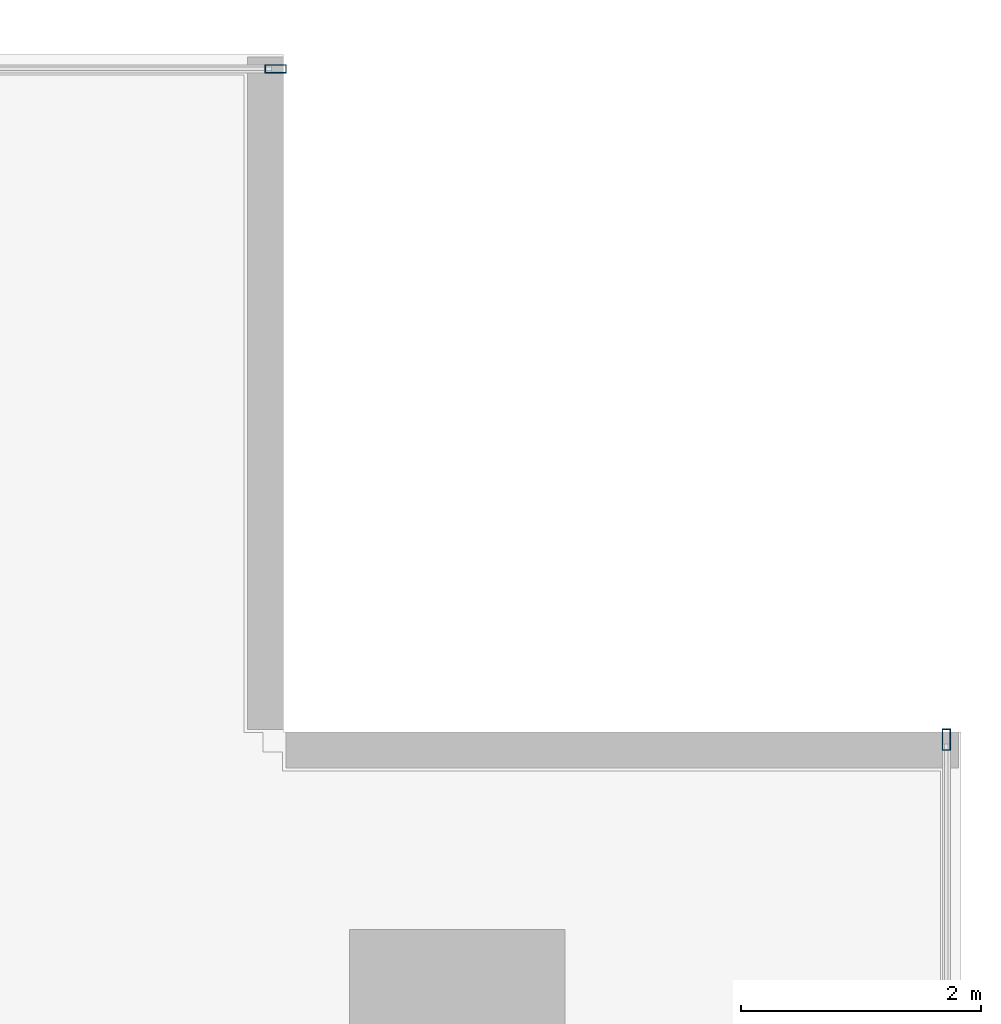
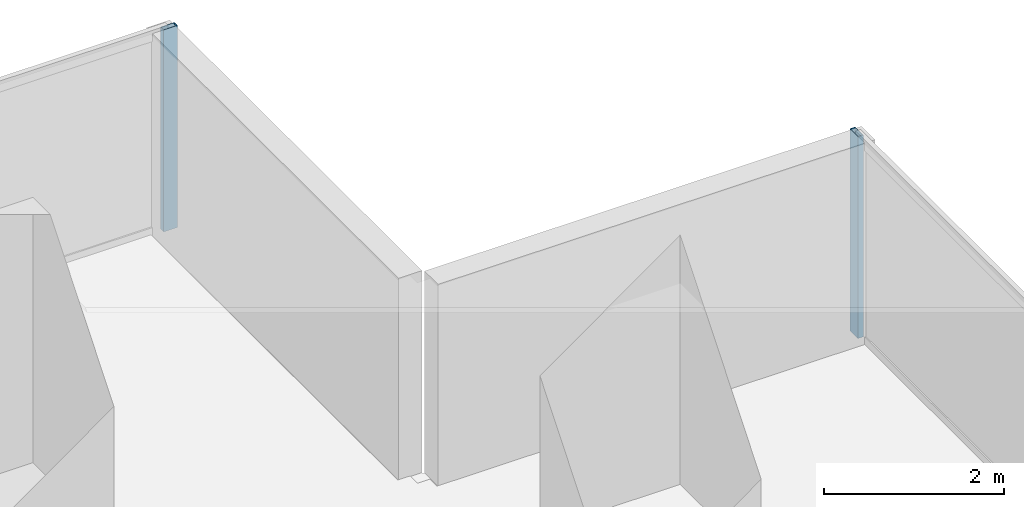
# One storey, part 23 of 33: 2 members, 2 elements without a shape of their own.
"""IFC4 building model written with IfcOpenShell, lengths in metres."""

from ifc_helpers import new_model, si_unit, direction, frame, origin, origin_2d, place, context, subcontext, project, spatial, hollow_rectangle, extrude, source, transform, mapped, material, layer, layer_set, material_profile, profile_set, type_object, element, aggregate, save


model = new_model("IFC4")

# Units and contexts
model_context = context("Model", 3, precision=1e-05, world=origin(), true_north=direction((0.0, 1.0)))
body_context = subcontext(model_context, "Body", "Model", "MODEL_VIEW")
ifc_project = project(units=[si_unit("LENGTHUNIT", "METRE"), si_unit("AREAUNIT", "SQUARE_METRE"), si_unit("VOLUMEUNIT", "CUBIC_METRE"), si_unit("PLANEANGLEUNIT", "RADIAN"), si_unit("MASSUNIT", "GRAM", prefix="KILO")], contexts=[model_context])

# Site, building, storey
site_placement = place(None, origin())
site = spatial("IfcSite", under=ifc_project, at=site_placement, CompositionType="ELEMENT")
building_placement = place(site_placement, origin())
building = spatial("IfcBuilding", under=site, at=building_placement, Name="Sumidabori Civic Tower", CompositionType="ELEMENT")
storey_placement = place(building_placement, frame((0.0, 0.0, 38.0)))
storey = spatial("IfcBuildingStorey", under=building, at=storey_placement, Name="L09", CompositionType="ELEMENT", Elevation=38.0)

# Curtain wall, member
ifc_material = material(Name="Anodised Bronze Aluminium AW-6063-T6", Category="aluminium")
ifc_layer = layer(ifc_material, 0.179931640625, Name="Anodised Bronze Aluminium AW-6063-T6")
ifc_layer_set = layer_set([ifc_layer], Name="Anodised Bronze Aluminium AW-6063-T6")
curtain_wall_type = type_object("IfcCurtainWallType", Name="CW-SYS-2", PredefinedType="NOTDEFINED", material=ifc_layer_set)
curtain_wall_1_placement = place(storey_placement, origin())
curtain_wall_1 = element("IfcCurtainWall", 1, at=curtain_wall_1_placement, inside=storey, type_object=curtain_wall_type, Name="Curtain Wall CW:L09:R04", PredefinedType="NOTDEFINED")
ifc_material_profile = material_profile(ifc_material, hollow_rectangle(XDim=0.070068359375, YDim=0.179931640625, WallThickness=0.006103515625, at=origin_2d()), Name="ALU MULLION 180x70")
ifc_profile_set = profile_set([ifc_material_profile], Name="Anodised Bronze Aluminium AW-6063-T6")
member_type = type_object("IfcMemberType", Name="CW-MUL-180", PredefinedType="MULLION", material=ifc_profile_set)
shared_shape = source(origin(), body_context, "Body", "SweptSolid", [
    extrude(hollow_rectangle(XDim=0.070068359375, YDim=0.179931640625, WallThickness=0.006103515625, at=origin_2d()), origin(), (0.0, 0.0, 1.0), 2.739990234375),
])
member_1_placement = place(storey_placement, frame((26.8798828125, 21.284912109375, 0.0), z_axis=(0.0, 0.0, 1.0), x_axis=(-1.0, 0.0, 0.0)))
member_1 = element("IfcMember", 2, at=member_1_placement, type_object=member_type, Name="CW-2 mullion 6", PredefinedType="MULLION", context=body_context, shape_type="MappedRepresentation", body=[
    mapped(shared_shape, transform((0.0, 0.0, 0.0), x_axis=(1.0, 0.0, 0.0), y_axis=(0.0, 1.0, 0.0), z_axis=(0.0, 0.0, 1.0), scale=1.0)),
])
aggregate(curtain_wall_1, [member_1])

curtain_wall_2_placement = place(storey_placement, origin())
curtain_wall_2 = element("IfcCurtainWall", 3, at=curtain_wall_2_placement, inside=storey, type_object=curtain_wall_type, Name="Curtain Wall CW:L09:R07", PredefinedType="NOTDEFINED")
member_2_placement = place(storey_placement, frame((21.284912109375, 26.8798828125, 0.0), z_axis=(0.0, 0.0, 1.0), x_axis=(0.0, -1.0, 0.0)))
member_2 = element("IfcMember", 4, at=member_2_placement, type_object=member_type, Name="CW-2 mullion 1", PredefinedType="MULLION", context=body_context, shape_type="MappedRepresentation", body=[
    mapped(shared_shape, transform((0.0, 0.0, 0.0), x_axis=(1.0, 0.0, 0.0), y_axis=(0.0, 1.0, 0.0), z_axis=(0.0, 0.0, 1.0), scale=1.0)),
])
aggregate(curtain_wall_2, [member_2])

save(model, "model.ifc")
